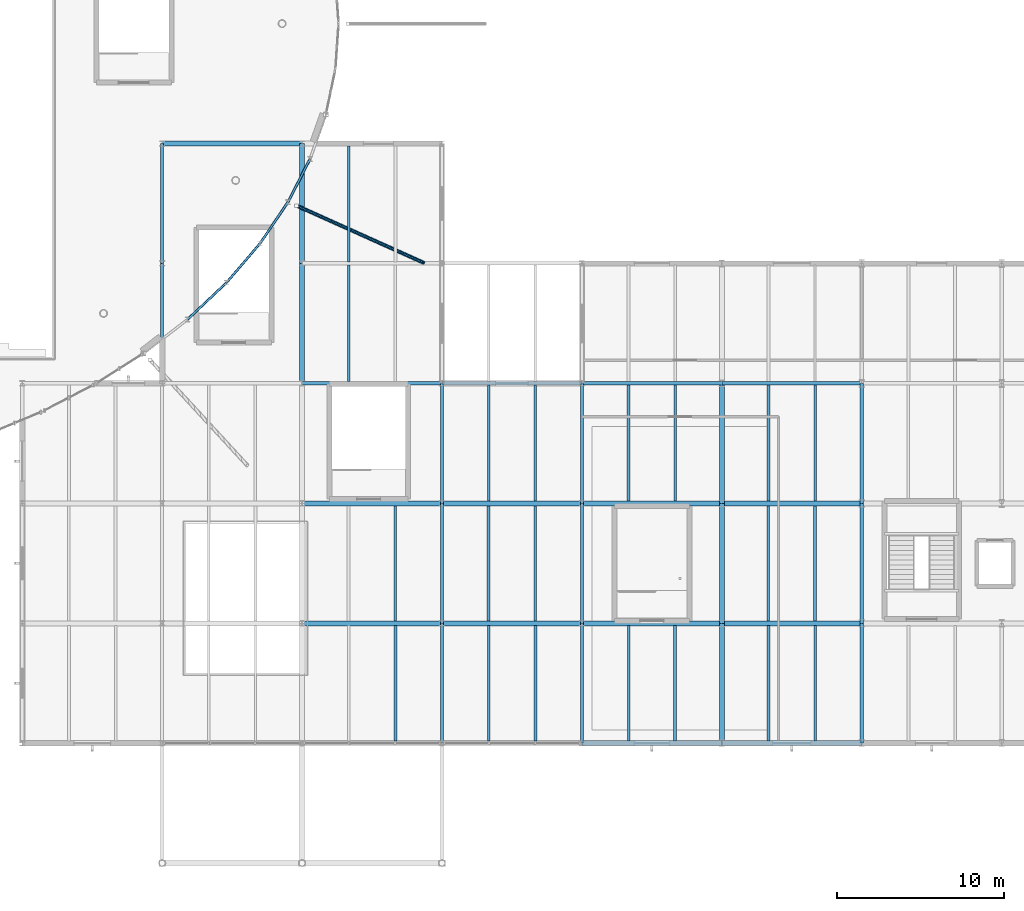
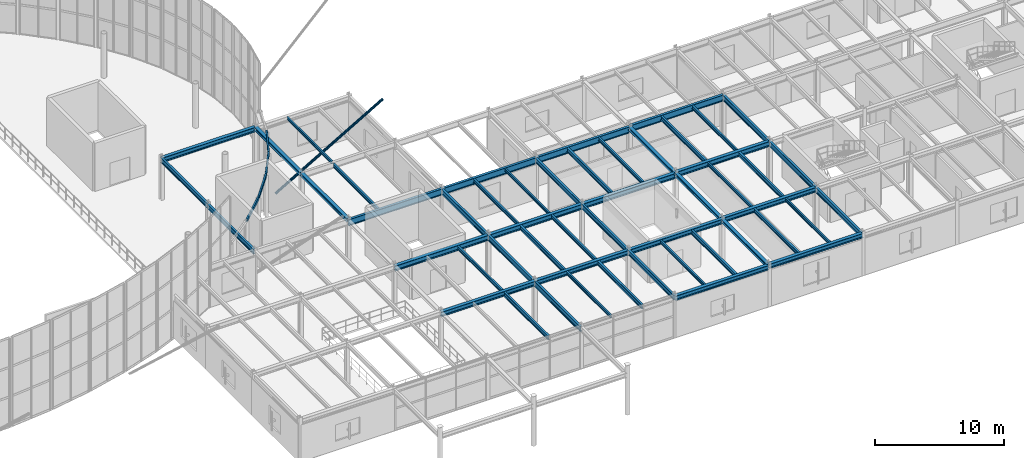
# One storey, part 31 of 109: 55 beams, 1 member.
"""IFC4 building model written with IfcOpenShell, lengths in metres."""

from ifc_helpers import new_model, si_unit, derived_unit, direction, frame, origin, origin_2d, place, context, subcontext, project, spatial, hollow_rectangle, hollow_circle, i_section, extrude, material, material_profile, profile_set, type_object, element, save


model = new_model("IFC4")

# Units and contexts
model_context = context("Model", 3, precision=1e-05, world=origin(), true_north=direction((0.0, 1.0)))
body_context = subcontext(model_context, "Body", "Model", "MODEL_VIEW")
ifc_project = project(units=[si_unit("LENGTHUNIT", "METRE"), si_unit("AREAUNIT", "SQUARE_METRE"), si_unit("VOLUMEUNIT", "CUBIC_METRE"), si_unit("PLANEANGLEUNIT", "RADIAN"), si_unit("MASSUNIT", "GRAM", prefix="KILO"), derived_unit("THERMALTRANSMITTANCEUNIT", [(si_unit("MASSUNIT", "GRAM", prefix="KILO"), 1), (si_unit("TIMEUNIT", "SECOND"), -3), (si_unit("THERMODYNAMICTEMPERATUREUNIT", "KELVIN"), -1)])], contexts=[model_context])

# Site, building, storey
site_placement = place(None, origin())
site = spatial("IfcSite", under=ifc_project, at=site_placement, CompositionType="ELEMENT")
building_placement = place(site_placement, origin())
building = spatial("IfcBuilding", under=site, at=building_placement, Name="Kharveza Railside Sports Centre", CompositionType="ELEMENT")
storey_placement = place(building_placement, frame((0.0, 0.0, 4.5)))
storey = spatial("IfcBuildingStorey", under=building, at=storey_placement, Name="L01", CompositionType="ELEMENT", Elevation=4.5)

# Beams
ifc_material = material(Name="Steel S355J2", Category="steel")
ifc_material_profile_1 = material_profile(ifc_material, i_section(OverallWidth=0.219970703125, OverallDepth=0.60009765625, WebThickness=0.011962890625, FlangeThickness=0.01904296875, FilletRadius=0.02392578125, at=origin_2d()), Name="IPE 600")
ifc_profile_set_1 = profile_set([ifc_material_profile_1], Name="Steel S355J2")
beam_type_1 = type_object("IfcBeamType", Name="BM-G01", PredefinedType="T_BEAM", material=ifc_profile_set_1)
beam_1_placement = place(storey_placement, frame((92.39990234375, 28.800048828125, 3.6201171875), z_axis=(1.0, 0.0, 0.0), x_axis=(0.0, 1.0, 0.0)))
element("IfcBeam", 1, at=beam_1_placement, inside=storey, type_object=beam_type_1, Name="BM-EW-L01-B01-X924-Y288", PredefinedType="T_BEAM", context=body_context, shape_type="SweptSolid", body=[
    extrude(i_section(OverallWidth=0.219970703125, OverallDepth=0.60009765625, WebThickness=0.011962890625, FlangeThickness=0.01904296875, FilletRadius=0.02392578125, at=origin_2d()), origin(), (0.0, 0.0, 1.0), 8.400146484375),
])
beam_2_placement = place(storey_placement, frame((100.800048828125, 28.800048828125, 3.6201171875), z_axis=(1.0, 0.0, 0.0), x_axis=(0.0, 1.0, 0.0)))
element("IfcBeam", 2, at=beam_2_placement, inside=storey, type_object=beam_type_1, Name="BM-EW-L01-B01-X1008-Y288", PredefinedType="T_BEAM", context=body_context, shape_type="SweptSolid", body=[
    extrude(i_section(OverallWidth=0.219970703125, OverallDepth=0.60009765625, WebThickness=0.011962890625, FlangeThickness=0.01904296875, FilletRadius=0.02392578125, at=origin_2d()), origin(), (0.0, 0.0, 1.0), 8.39990234375),
])
beam_3_placement = place(storey_placement, frame((109.199951171875, 28.800048828125, 3.6201171875), z_axis=(1.0, 0.0, 0.0), x_axis=(0.0, 1.0, 0.0)))
element("IfcBeam", 3, at=beam_3_placement, inside=storey, type_object=beam_type_1, Name="BM-EW-L01-B01-X1092-Y288", PredefinedType="T_BEAM", context=body_context, shape_type="SweptSolid", body=[
    extrude(i_section(OverallWidth=0.219970703125, OverallDepth=0.60009765625, WebThickness=0.011962890625, FlangeThickness=0.01904296875, FilletRadius=0.02392578125, at=origin_2d()), origin(), (0.0, 0.0, 1.0), 8.400146484375),
])
beam_4_placement = place(storey_placement, frame((117.60009765625, 28.800048828125, 3.699951171875), z_axis=(1.0, 0.0, 0.0), x_axis=(0.0, 1.0, 0.0)))
element("IfcBeam", 4, at=beam_4_placement, inside=storey, type_object=beam_type_1, Name="BM-EW-L01-B01-X1176-Y288", PredefinedType="T_BEAM", context=body_context, shape_type="SweptSolid", body=[
    extrude(i_section(OverallWidth=0.219970703125, OverallDepth=0.60009765625, WebThickness=0.011962890625, FlangeThickness=0.01904296875, FilletRadius=0.02392578125, at=origin_2d()), origin(), (0.0, 0.0, 1.0), 8.39990234375),
])
ifc_material_profile_2 = material_profile(ifc_material, i_section(OverallWidth=0.199951171875, OverallDepth=0.5, WebThickness=0.01025390625, FlangeThickness=0.01611328125, FilletRadius=0.02099609375, at=origin_2d()), Name="IPE 500")
ifc_profile_set_2 = profile_set([ifc_material_profile_2], Name="Steel S355J2")
beam_type_2 = type_object("IfcBeamType", Name="BM-G03", PredefinedType="T_BEAM", material=ifc_profile_set_2)
beam_5_placement = place(storey_placement, frame((100.800048828125, 7.199951171875, 3.669921875), z_axis=(0.0, 1.0, 0.0), x_axis=(-1.0, 0.0, 0.0)))
element("IfcBeam", 5, at=beam_5_placement, inside=storey, type_object=beam_type_2, Name="BM-NS-L01-B03-X1008-Y72", PredefinedType="T_BEAM", context=body_context, shape_type="SweptSolid", body=[
    extrude(i_section(OverallWidth=0.199951171875, OverallDepth=0.5, WebThickness=0.01025390625, FlangeThickness=0.01611328125, FilletRadius=0.02099609375, at=origin_2d()), origin(), (0.0, 0.0, 1.0), 7.199951171875),
])
beam_6_placement = place(storey_placement, frame((100.800048828125, 14.39990234375, 3.669921875), z_axis=(0.0, 1.0, 0.0), x_axis=(-1.0, 0.0, 0.0)))
element("IfcBeam", 6, at=beam_6_placement, inside=storey, type_object=beam_type_2, Name="BM-NS-L01-B03-X1008-Y144", PredefinedType="T_BEAM", context=body_context, shape_type="SweptSolid", body=[
    extrude(i_section(OverallWidth=0.199951171875, OverallDepth=0.5, WebThickness=0.01025390625, FlangeThickness=0.01611328125, FilletRadius=0.02099609375, at=origin_2d()), origin(), (0.0, 0.0, 1.0), 7.2001953125),
])
for number, where, z_axis, x_axis, name in (
    (7, (100.800048828125, 21.60009765625, 3.669921875), (0.0, 1.0, 0.0), (-1.0, 0.0, 0.0), "BM-NS-L01-B03-X1008-Y216"),
    (8, (126.0, 7.199951171875, 3.75), (0.0, 1.0, 0.0), (-1.0, 0.0, 0.0), "BM-NS-L01-B03-X1260-Y72"),
):
    element("IfcBeam", number, at=place(storey_placement, frame(where, z_axis=z_axis, x_axis=x_axis)), inside=storey, type_object=beam_type_2, Name=name, PredefinedType="T_BEAM", context=body_context, shape_type="SweptSolid", body=[
        extrude(i_section(OverallWidth=0.199951171875, OverallDepth=0.5, WebThickness=0.01025390625, FlangeThickness=0.01611328125, FilletRadius=0.02099609375, at=origin_2d()), origin(), (0.0, 0.0, 1.0), 7.199951171875),
    ])
beam_7_placement = place(storey_placement, frame((126.0, 14.39990234375, 3.75), z_axis=(0.0, 1.0, 0.0), x_axis=(-1.0, 0.0, 0.0)))
element("IfcBeam", 9, at=beam_7_placement, inside=storey, type_object=beam_type_2, Name="BM-NS-L01-B03-X1260-Y144", PredefinedType="T_BEAM", context=body_context, shape_type="SweptSolid", body=[
    extrude(i_section(OverallWidth=0.199951171875, OverallDepth=0.5, WebThickness=0.01025390625, FlangeThickness=0.01611328125, FilletRadius=0.02099609375, at=origin_2d()), origin(), (0.0, 0.0, 1.0), 7.2001953125),
])
beam_8_placement = place(storey_placement, frame((126.0, 21.60009765625, 3.75), z_axis=(0.0, 1.0, 0.0), x_axis=(-1.0, 0.0, 0.0)))
element("IfcBeam", 10, at=beam_8_placement, inside=storey, type_object=beam_type_2, Name="BM-NS-L01-B03-X1260-Y216", PredefinedType="T_BEAM", context=body_context, shape_type="SweptSolid", body=[
    extrude(i_section(OverallWidth=0.199951171875, OverallDepth=0.5, WebThickness=0.01025390625, FlangeThickness=0.01611328125, FilletRadius=0.02099609375, at=origin_2d()), origin(), (0.0, 0.0, 1.0), 7.199951171875),
])
ifc_material_profile_3 = material_profile(ifc_material, i_section(OverallWidth=0.18994140625, OverallDepth=0.449951171875, WebThickness=0.009521484375, FlangeThickness=0.0146484375, FilletRadius=0.02099609375, at=origin_2d()), Name="IPE 450")
ifc_profile_set_3 = profile_set([ifc_material_profile_3], Name="Steel S355J2")
beam_type_3 = type_object("IfcBeamType", Name="BM-G04", PredefinedType="T_BEAM", material=ifc_profile_set_3)
for number, where, z_axis, x_axis, name in (
    (11, (84.0, 28.800048828125, 3.77490234375), (0.0, 1.0, 0.0), (-1.0, 0.0, 0.0), "BM-NS-L01-B04-X840-Y288"),
    (12, (84.0, 36.0, 3.77490234375), (0.0, 1.0, 0.0), (-1.0, 0.0, 0.0), "BM-NS-L01-B04-X840-Y360"),
    (13, (109.199951171875, 7.199951171875, 3.695068359375), (0.0, 1.0, 0.0), (-1.0, 0.0, 0.0), "BM-NS-L01-B04-X1092-Y72"),
):
    element("IfcBeam", number, at=place(storey_placement, frame(where, z_axis=z_axis, x_axis=x_axis)), inside=storey, type_object=beam_type_3, Name=name, PredefinedType="T_BEAM", context=body_context, shape_type="SweptSolid", body=[
        extrude(i_section(OverallWidth=0.18994140625, OverallDepth=0.449951171875, WebThickness=0.009521484375, FlangeThickness=0.0146484375, FilletRadius=0.02099609375, at=origin_2d()), origin(), (0.0, 0.0, 1.0), 7.199951171875),
    ])
beam_9_placement = place(storey_placement, frame((109.199951171875, 14.39990234375, 3.695068359375), z_axis=(0.0, 1.0, 0.0), x_axis=(-1.0, 0.0, 0.0)))
element("IfcBeam", 14, at=beam_9_placement, inside=storey, type_object=beam_type_3, Name="BM-NS-L01-B04-X1092-Y144", PredefinedType="T_BEAM", context=body_context, shape_type="SweptSolid", body=[
    extrude(i_section(OverallWidth=0.18994140625, OverallDepth=0.449951171875, WebThickness=0.009521484375, FlangeThickness=0.0146484375, FilletRadius=0.02099609375, at=origin_2d()), origin(), (0.0, 0.0, 1.0), 7.2001953125),
])
beam_10_placement = place(storey_placement, frame((109.199951171875, 21.60009765625, 3.695068359375), z_axis=(0.0, 1.0, 0.0), x_axis=(-1.0, 0.0, 0.0)))
element("IfcBeam", 15, at=beam_10_placement, inside=storey, type_object=beam_type_3, Name="BM-NS-L01-B04-X1092-Y216", PredefinedType="T_BEAM", context=body_context, shape_type="SweptSolid", body=[
    extrude(i_section(OverallWidth=0.18994140625, OverallDepth=0.449951171875, WebThickness=0.009521484375, FlangeThickness=0.0146484375, FilletRadius=0.02099609375, at=origin_2d()), origin(), (0.0, 0.0, 1.0), 7.199951171875),
])
ifc_material_profile_4 = material_profile(ifc_material, i_section(OverallWidth=0.300048828125, OverallDepth=0.5, WebThickness=0.014404296875, FlangeThickness=0.028076171875, FilletRadius=0.027099609375, at=origin_2d()), Name="HEB 500")
ifc_profile_set_4 = profile_set([ifc_material_profile_4], Name="Steel S355J2")
beam_type_4 = type_object("IfcBeamType", Name="BM-G05", PredefinedType="T_BEAM", material=ifc_profile_set_4)
beam_11_placement = place(storey_placement, frame((92.39990234375, 21.60009765625, 3.669921875), z_axis=(1.0, 0.0, 0.0), x_axis=(0.0, 1.0, 0.0)))
element("IfcBeam", 16, at=beam_11_placement, inside=storey, type_object=beam_type_4, Name="BM-EW-L01-B05-X924-Y216", PredefinedType="T_BEAM", context=body_context, shape_type="SweptSolid", body=[
    extrude(i_section(OverallWidth=0.300048828125, OverallDepth=0.5, WebThickness=0.014404296875, FlangeThickness=0.028076171875, FilletRadius=0.027099609375, at=origin_2d()), origin(), (0.0, 0.0, 1.0), 8.400146484375),
])
beam_12_placement = place(storey_placement, frame((100.800048828125, 21.60009765625, 3.669921875), z_axis=(1.0, 0.0, 0.0), x_axis=(0.0, 1.0, 0.0)))
element("IfcBeam", 17, at=beam_12_placement, inside=storey, type_object=beam_type_4, Name="BM-EW-L01-B05-X1008-Y216", PredefinedType="T_BEAM", context=body_context, shape_type="SweptSolid", body=[
    extrude(i_section(OverallWidth=0.300048828125, OverallDepth=0.5, WebThickness=0.014404296875, FlangeThickness=0.028076171875, FilletRadius=0.027099609375, at=origin_2d()), origin(), (0.0, 0.0, 1.0), 8.39990234375),
])
beam_13_placement = place(storey_placement, frame((109.199951171875, 21.60009765625, 3.669921875), z_axis=(1.0, 0.0, 0.0), x_axis=(0.0, 1.0, 0.0)))
element("IfcBeam", 18, at=beam_13_placement, inside=storey, type_object=beam_type_4, Name="BM-EW-L01-B05-X1092-Y216", PredefinedType="T_BEAM", context=body_context, shape_type="SweptSolid", body=[
    extrude(i_section(OverallWidth=0.300048828125, OverallDepth=0.5, WebThickness=0.014404296875, FlangeThickness=0.028076171875, FilletRadius=0.027099609375, at=origin_2d()), origin(), (0.0, 0.0, 1.0), 8.400146484375),
])
beam_14_placement = place(storey_placement, frame((117.60009765625, 21.60009765625, 3.75), z_axis=(1.0, 0.0, 0.0), x_axis=(0.0, 1.0, 0.0)))
element("IfcBeam", 19, at=beam_14_placement, inside=storey, type_object=beam_type_4, Name="BM-EW-L01-B05-X1176-Y216", PredefinedType="T_BEAM", context=body_context, shape_type="SweptSolid", body=[
    extrude(i_section(OverallWidth=0.300048828125, OverallDepth=0.5, WebThickness=0.014404296875, FlangeThickness=0.028076171875, FilletRadius=0.027099609375, at=origin_2d()), origin(), (0.0, 0.0, 1.0), 8.39990234375),
])
ifc_material_profile_5 = material_profile(ifc_material, i_section(OverallWidth=0.300048828125, OverallDepth=0.449951171875, WebThickness=0.013916015625, FlangeThickness=0.02587890625, FilletRadius=0.027099609375, at=origin_2d()), Name="HEB 450")
ifc_profile_set_5 = profile_set([ifc_material_profile_5], Name="Steel S355J2")
beam_type_5 = type_object("IfcBeamType", Name="BM-G06", PredefinedType="T_BEAM", material=ifc_profile_set_5)
beam_15_placement = place(storey_placement, frame((84.0, 43.199951171875, 3.77490234375), z_axis=(1.0, 0.0, 0.0), x_axis=(0.0, 1.0, 0.0)))
element("IfcBeam", 20, at=beam_15_placement, inside=storey, type_object=beam_type_5, Name="BM-EW-L01-B06-X840-Y432", PredefinedType="T_BEAM", context=body_context, shape_type="SweptSolid", body=[
    extrude(i_section(OverallWidth=0.300048828125, OverallDepth=0.449951171875, WebThickness=0.013916015625, FlangeThickness=0.02587890625, FilletRadius=0.027099609375, at=origin_2d()), origin(), (0.0, 0.0, 1.0), 8.39990234375),
])
beam_16_placement = place(storey_placement, frame((92.39990234375, 14.39990234375, 3.695068359375), z_axis=(1.0, 0.0, 0.0), x_axis=(0.0, 1.0, 0.0)))
element("IfcBeam", 21, at=beam_16_placement, inside=storey, type_object=beam_type_5, Name="BM-EW-L01-B06-X924-Y144", PredefinedType="T_BEAM", context=body_context, shape_type="SweptSolid", body=[
    extrude(i_section(OverallWidth=0.300048828125, OverallDepth=0.449951171875, WebThickness=0.013916015625, FlangeThickness=0.02587890625, FilletRadius=0.027099609375, at=origin_2d()), origin(), (0.0, 0.0, 1.0), 8.400146484375),
])
beam_17_placement = place(storey_placement, frame((100.800048828125, 14.39990234375, 3.695068359375), z_axis=(1.0, 0.0, 0.0), x_axis=(0.0, 1.0, 0.0)))
element("IfcBeam", 22, at=beam_17_placement, inside=storey, type_object=beam_type_5, Name="BM-EW-L01-B06-X1008-Y144", PredefinedType="T_BEAM", context=body_context, shape_type="SweptSolid", body=[
    extrude(i_section(OverallWidth=0.300048828125, OverallDepth=0.449951171875, WebThickness=0.013916015625, FlangeThickness=0.02587890625, FilletRadius=0.027099609375, at=origin_2d()), origin(), (0.0, 0.0, 1.0), 8.39990234375),
])
beam_18_placement = place(storey_placement, frame((109.199951171875, 14.39990234375, 3.695068359375), z_axis=(1.0, 0.0, 0.0), x_axis=(0.0, 1.0, 0.0)))
element("IfcBeam", 23, at=beam_18_placement, inside=storey, type_object=beam_type_5, Name="BM-EW-L01-B06-X1092-Y144", PredefinedType="T_BEAM", context=body_context, shape_type="SweptSolid", body=[
    extrude(i_section(OverallWidth=0.300048828125, OverallDepth=0.449951171875, WebThickness=0.013916015625, FlangeThickness=0.02587890625, FilletRadius=0.027099609375, at=origin_2d()), origin(), (0.0, 0.0, 1.0), 8.400146484375),
])
beam_19_placement = place(storey_placement, frame((117.60009765625, 14.39990234375, 3.77490234375), z_axis=(1.0, 0.0, 0.0), x_axis=(0.0, 1.0, 0.0)))
element("IfcBeam", 24, at=beam_19_placement, inside=storey, type_object=beam_type_5, Name="BM-EW-L01-B06-X1176-Y144", PredefinedType="T_BEAM", context=body_context, shape_type="SweptSolid", body=[
    extrude(i_section(OverallWidth=0.300048828125, OverallDepth=0.449951171875, WebThickness=0.013916015625, FlangeThickness=0.02587890625, FilletRadius=0.027099609375, at=origin_2d()), origin(), (0.0, 0.0, 1.0), 8.39990234375),
])
ifc_material_profile_6 = material_profile(ifc_material, i_section(OverallWidth=0.179931640625, OverallDepth=0.39990234375, WebThickness=0.008544921875, FlangeThickness=0.013427734375, FilletRadius=0.02099609375, at=origin_2d()), Name="IPE 400")
ifc_profile_set_6 = profile_set([ifc_material_profile_6], Name="Steel S355J2")
beam_type_6 = type_object("IfcBeamType", Name="BM-S01", PredefinedType="BEAM", material=ifc_profile_set_6)
for number, where, z_axis, x_axis, name in (
    (25, (98.0, 7.346923828125, 3.719970703125), (0.0, 1.0, 0.0), (-1.0, 0.0, 0.0), "BM-SEC-L01-B09-X980-Y72"),
    (26, (106.39990234375, 7.346923828125, 3.719970703125), (0.0, 1.0, 0.0), (-1.0, 0.0, 0.0), "BM-SEC-L01-B09-X1064-Y72"),
):
    element("IfcBeam", number, at=place(storey_placement, frame(where, z_axis=z_axis, x_axis=x_axis)), inside=storey, type_object=beam_type_6, Name=name, PredefinedType="BEAM", context=body_context, shape_type="SweptSolid", body=[
        extrude(i_section(OverallWidth=0.179931640625, OverallDepth=0.39990234375, WebThickness=0.008544921875, FlangeThickness=0.013427734375, FilletRadius=0.02099609375, at=origin_2d()), origin(), (0.0, 0.0, 1.0), 6.906005859375),
    ])
beam_20_placement = place(storey_placement, frame((103.60009765625, 14.547119140625, 3.719970703125), z_axis=(0.0, 1.0, 0.0), x_axis=(-1.0, 0.0, 0.0)))
element("IfcBeam", 27, at=beam_20_placement, inside=storey, type_object=beam_type_6, Name="BM-SEC-L01-B09-X1036-Y144", PredefinedType="BEAM", context=body_context, shape_type="SweptSolid", body=[
    extrude(i_section(OverallWidth=0.179931640625, OverallDepth=0.39990234375, WebThickness=0.008544921875, FlangeThickness=0.013427734375, FilletRadius=0.02099609375, at=origin_2d()), origin(), (0.0, 0.0, 1.0), 6.90576171875),
])
beam_21_placement = place(storey_placement, frame((114.800048828125, 7.346923828125, 3.719970703125), z_axis=(0.0, 1.0, 0.0), x_axis=(-1.0, 0.0, 0.0)))
element("IfcBeam", 28, at=beam_21_placement, inside=storey, type_object=beam_type_6, Name="BM-SEC-L01-B09-X1148-Y72", PredefinedType="BEAM", context=body_context, shape_type="SweptSolid", body=[
    extrude(i_section(OverallWidth=0.179931640625, OverallDepth=0.39990234375, WebThickness=0.008544921875, FlangeThickness=0.013427734375, FilletRadius=0.02099609375, at=origin_2d()), origin(), (0.0, 0.0, 1.0), 6.906005859375),
])
beam_22_placement = place(storey_placement, frame((112.0, 21.7470703125, 3.719970703125), z_axis=(0.0, 1.0, 0.0), x_axis=(-1.0, 0.0, 0.0)))
element("IfcBeam", 29, at=beam_22_placement, inside=storey, type_object=beam_type_6, Name="BM-SEC-L01-B09-X1120-Y216", PredefinedType="BEAM", context=body_context, shape_type="SweptSolid", body=[
    extrude(i_section(OverallWidth=0.179931640625, OverallDepth=0.39990234375, WebThickness=0.008544921875, FlangeThickness=0.013427734375, FilletRadius=0.02099609375, at=origin_2d()), origin(), (0.0, 0.0, 1.0), 6.946044921875),
])
beam_23_placement = place(storey_placement, frame((123.199951171875, 14.547119140625, 3.800048828125), z_axis=(0.0, 1.0, 0.0), x_axis=(-1.0, 0.0, 0.0)))
element("IfcBeam", 30, at=beam_23_placement, inside=storey, type_object=beam_type_6, Name="BM-SEC-L01-B09-X1232-Y144", PredefinedType="BEAM", context=body_context, shape_type="SweptSolid", body=[
    extrude(i_section(OverallWidth=0.179931640625, OverallDepth=0.39990234375, WebThickness=0.008544921875, FlangeThickness=0.013427734375, FilletRadius=0.02099609375, at=origin_2d()), origin(), (0.0, 0.0, 1.0), 6.90576171875),
])
beam_24_placement = place(storey_placement, frame((120.39990234375, 21.7470703125, 3.800048828125), z_axis=(0.0, 1.0, 0.0), x_axis=(-1.0, 0.0, 0.0)))
element("IfcBeam", 31, at=beam_24_placement, inside=storey, type_object=beam_type_6, Name="BM-SEC-L01-B09-X1204-Y216", PredefinedType="BEAM", context=body_context, shape_type="SweptSolid", body=[
    extrude(i_section(OverallWidth=0.179931640625, OverallDepth=0.39990234375, WebThickness=0.008544921875, FlangeThickness=0.013427734375, FilletRadius=0.02099609375, at=origin_2d()), origin(), (0.0, 0.0, 1.0), 6.946044921875),
])
ifc_material_profile_7 = material_profile(ifc_material, i_section(OverallWidth=0.169921875, OverallDepth=0.360107421875, WebThickness=0.008056640625, FlangeThickness=0.0126953125, FilletRadius=0.01806640625, at=origin_2d()), Name="IPE 360")
ifc_profile_set_7 = profile_set([ifc_material_profile_7], Name="Steel S355J2")
beam_type_7 = type_object("IfcBeamType", Name="BM-S02", PredefinedType="BEAM", material=ifc_profile_set_7)
beam_25_placement = place(storey_placement, frame((120.39990234375, 7.346923828125, 3.820068359375), z_axis=(0.0, 1.0, 0.0), x_axis=(-1.0, 0.0, 0.0)))
element("IfcBeam", 32, at=beam_25_placement, inside=storey, type_object=beam_type_7, Name="BM-SEC-L01-B10-X1204-Y72", PredefinedType="BEAM", context=body_context, shape_type="SweptSolid", body=[
    extrude(i_section(OverallWidth=0.169921875, OverallDepth=0.360107421875, WebThickness=0.008056640625, FlangeThickness=0.0126953125, FilletRadius=0.01806640625, at=origin_2d()), origin(), (0.0, 0.0, 1.0), 6.906005859375),
])
ifc_material_profile_8 = material_profile(ifc_material, i_section(OverallWidth=0.159912109375, OverallDepth=0.330078125, WebThickness=0.007568359375, FlangeThickness=0.011474609375, FilletRadius=0.01806640625, at=origin_2d()), Name="IPE 330")
ifc_profile_set_8 = profile_set([ifc_material_profile_8], Name="Steel S355J2")
beam_type_8 = type_object("IfcBeamType", Name="BM-S03", PredefinedType="BEAM", material=ifc_profile_set_8)
beam_26_placement = place(storey_placement, frame((98.0, 14.547119140625, 3.7548828125), z_axis=(0.0, 1.0, 0.0), x_axis=(-1.0, 0.0, 0.0)))
element("IfcBeam", 33, at=beam_26_placement, inside=storey, type_object=beam_type_8, Name="BM-SEC-L01-B11-X980-Y144", PredefinedType="BEAM", context=body_context, shape_type="SweptSolid", body=[
    extrude(i_section(OverallWidth=0.159912109375, OverallDepth=0.330078125, WebThickness=0.007568359375, FlangeThickness=0.011474609375, FilletRadius=0.01806640625, at=origin_2d()), origin(), (0.0, 0.0, 1.0), 6.90576171875),
])
beam_27_placement = place(storey_placement, frame((95.199951171875, 28.906982421875, 3.7548828125), z_axis=(0.0, 1.0, 0.0), x_axis=(-1.0, 0.0, 0.0)))
element("IfcBeam", 34, at=beam_27_placement, inside=storey, type_object=beam_type_8, Name="BM-SEC-L01-B11-X952-Y288", PredefinedType="BEAM", context=body_context, shape_type="SweptSolid", body=[
    extrude(i_section(OverallWidth=0.159912109375, OverallDepth=0.330078125, WebThickness=0.007568359375, FlangeThickness=0.011474609375, FilletRadius=0.01806640625, at=origin_2d()), origin(), (0.0, 0.0, 1.0), 6.990966796875),
])
beam_28_placement = place(storey_placement, frame((106.39990234375, 14.547119140625, 3.7548828125), z_axis=(0.0, 1.0, 0.0), x_axis=(-1.0, 0.0, 0.0)))
element("IfcBeam", 35, at=beam_28_placement, inside=storey, type_object=beam_type_8, Name="BM-SEC-L01-B11-X1064-Y144", PredefinedType="BEAM", context=body_context, shape_type="SweptSolid", body=[
    extrude(i_section(OverallWidth=0.159912109375, OverallDepth=0.330078125, WebThickness=0.007568359375, FlangeThickness=0.011474609375, FilletRadius=0.01806640625, at=origin_2d()), origin(), (0.0, 0.0, 1.0), 6.90576171875),
])
for number, where, z_axis, x_axis, name in (
    (36, (103.60009765625, 21.7470703125, 3.7548828125), (0.0, 1.0, 0.0), (-1.0, 0.0, 0.0), "BM-SEC-L01-B11-X1036-Y216"),
    (37, (114.800048828125, 21.7470703125, 3.7548828125), (0.0, 1.0, 0.0), (-1.0, 0.0, 0.0), "BM-SEC-L01-B11-X1148-Y216"),
    (38, (123.199951171875, 21.7470703125, 3.8349609375), (0.0, 1.0, 0.0), (-1.0, 0.0, 0.0), "BM-SEC-L01-B11-X1232-Y216"),
):
    element("IfcBeam", number, at=place(storey_placement, frame(where, z_axis=z_axis, x_axis=x_axis)), inside=storey, type_object=beam_type_8, Name=name, PredefinedType="BEAM", context=body_context, shape_type="SweptSolid", body=[
        extrude(i_section(OverallWidth=0.159912109375, OverallDepth=0.330078125, WebThickness=0.007568359375, FlangeThickness=0.011474609375, FilletRadius=0.01806640625, at=origin_2d()), origin(), (0.0, 0.0, 1.0), 6.946044921875),
    ])
ifc_material_profile_9 = material_profile(ifc_material, i_section(OverallWidth=0.14990234375, OverallDepth=0.300048828125, WebThickness=0.007080078125, FlangeThickness=0.0107421875, FilletRadius=0.014892578125, at=origin_2d()), Name="IPE 300")
ifc_profile_set_9 = profile_set([ifc_material_profile_9], Name="Steel S355J2")
beam_type_9 = type_object("IfcBeamType", Name="BM-S04", PredefinedType="BEAM", material=ifc_profile_set_9)
for number, where, z_axis, x_axis, name in (
    (39, (103.60009765625, 7.346923828125, 3.77001953125), (0.0, 1.0, 0.0), (-1.0, 0.0, 0.0), "BM-SEC-L01-B12-X1036-Y72"),
    (40, (112.0, 7.346923828125, 3.77001953125), (0.0, 1.0, 0.0), (-1.0, 0.0, 0.0), "BM-SEC-L01-B12-X1120-Y72"),
    (41, (123.199951171875, 7.346923828125, 3.85009765625), (0.0, 1.0, 0.0), (-1.0, 0.0, 0.0), "BM-SEC-L01-B12-X1232-Y72"),
):
    element("IfcBeam", number, at=place(storey_placement, frame(where, z_axis=z_axis, x_axis=x_axis)), inside=storey, type_object=beam_type_9, Name=name, PredefinedType="BEAM", context=body_context, shape_type="SweptSolid", body=[
        extrude(i_section(OverallWidth=0.14990234375, OverallDepth=0.300048828125, WebThickness=0.007080078125, FlangeThickness=0.0107421875, FilletRadius=0.014892578125, at=origin_2d()), origin(), (0.0, 0.0, 1.0), 6.906005859375),
    ])
beam_29_placement = place(storey_placement, frame((120.39990234375, 14.547119140625, 3.85009765625), z_axis=(0.0, 1.0, 0.0), x_axis=(-1.0, 0.0, 0.0)))
element("IfcBeam", 42, at=beam_29_placement, inside=storey, type_object=beam_type_9, Name="BM-SEC-L01-B12-X1204-Y144", PredefinedType="BEAM", context=body_context, shape_type="SweptSolid", body=[
    extrude(i_section(OverallWidth=0.14990234375, OverallDepth=0.300048828125, WebThickness=0.007080078125, FlangeThickness=0.0107421875, FilletRadius=0.014892578125, at=origin_2d()), origin(), (0.0, 0.0, 1.0), 6.90576171875),
])
ifc_material_profile_10 = material_profile(ifc_material, i_section(OverallWidth=0.135009765625, OverallDepth=0.27001953125, WebThickness=0.006591796875, FlangeThickness=0.01025390625, FilletRadius=0.014892578125, at=origin_2d()), Name="IPE 270")
ifc_profile_set_10 = profile_set([ifc_material_profile_10], Name="Steel S355J2")
beam_type_10 = type_object("IfcBeamType", Name="BM-S05", PredefinedType="BEAM", material=ifc_profile_set_10)
beam_30_placement = place(storey_placement, frame((95.199951171875, 36.10205078125, 3.864990234375), z_axis=(0.0, 1.0, 0.0), x_axis=(-1.0, 0.0, 0.0)))
element("IfcBeam", 43, at=beam_30_placement, inside=storey, type_object=beam_type_10, Name="BM-SEC-L01-B13-X952-Y360", PredefinedType="BEAM", context=body_context, shape_type="SweptSolid", body=[
    extrude(i_section(OverallWidth=0.135009765625, OverallDepth=0.27001953125, WebThickness=0.006591796875, FlangeThickness=0.01025390625, FilletRadius=0.014892578125, at=origin_2d()), origin(), (0.0, 0.0, 1.0), 6.950927734375),
])
beam_31_placement = place(storey_placement, frame((106.39990234375, 21.7470703125, 3.784912109375), z_axis=(0.0, 1.0, 0.0), x_axis=(-1.0, 0.0, 0.0)))
element("IfcBeam", 44, at=beam_31_placement, inside=storey, type_object=beam_type_10, Name="BM-SEC-L01-B13-X1064-Y216", PredefinedType="BEAM", context=body_context, shape_type="SweptSolid", body=[
    extrude(i_section(OverallWidth=0.135009765625, OverallDepth=0.27001953125, WebThickness=0.006591796875, FlangeThickness=0.01025390625, FilletRadius=0.014892578125, at=origin_2d()), origin(), (0.0, 0.0, 1.0), 6.946044921875),
])
ifc_material_profile_11 = material_profile(ifc_material, i_section(OverallWidth=0.300048828125, OverallDepth=0.31005859375, WebThickness=0.009033203125, FlangeThickness=0.015380859375, FilletRadius=0.027099609375, at=origin_2d()), Name="HEA 320")
ifc_profile_set_11 = profile_set([ifc_material_profile_11], Name="Steel S355J2")
beam_type_11 = type_object("IfcBeamType", Name="BM-S06", PredefinedType="BEAM", material=ifc_profile_set_11)
for number, where, z_axis, x_axis, name in (
    (45, (92.39990234375, 28.800048828125, 3.844970703125), (0.0, 1.0, 0.0), (-1.0, 0.0, 0.0), "BM-NS-L01-B14-X924-Y288"),
    (46, (92.39990234375, 36.0, 3.844970703125), (0.0, 1.0, 0.0), (-1.0, 0.0, 0.0), "BM-NS-L01-B14-X924-Y360"),
    (47, (117.60009765625, 7.199951171875, 3.764892578125), (0.0, 1.0, 0.0), (-1.0, 0.0, 0.0), "BM-NS-L01-B14-X1176-Y72"),
):
    element("IfcBeam", number, at=place(storey_placement, frame(where, z_axis=z_axis, x_axis=x_axis)), inside=storey, type_object=beam_type_11, Name=name, PredefinedType="BEAM", context=body_context, shape_type="SweptSolid", body=[
        extrude(i_section(OverallWidth=0.300048828125, OverallDepth=0.31005859375, WebThickness=0.009033203125, FlangeThickness=0.015380859375, FilletRadius=0.027099609375, at=origin_2d()), origin(), (0.0, 0.0, 1.0), 7.199951171875),
    ])
beam_32_placement = place(storey_placement, frame((117.60009765625, 14.39990234375, 3.764892578125), z_axis=(0.0, 1.0, 0.0), x_axis=(-1.0, 0.0, 0.0)))
element("IfcBeam", 48, at=beam_32_placement, inside=storey, type_object=beam_type_11, Name="BM-NS-L01-B14-X1176-Y144", PredefinedType="BEAM", context=body_context, shape_type="SweptSolid", body=[
    extrude(i_section(OverallWidth=0.300048828125, OverallDepth=0.31005859375, WebThickness=0.009033203125, FlangeThickness=0.015380859375, FilletRadius=0.027099609375, at=origin_2d()), origin(), (0.0, 0.0, 1.0), 7.2001953125),
])
beam_33_placement = place(storey_placement, frame((117.60009765625, 21.60009765625, 3.764892578125), z_axis=(0.0, 1.0, 0.0), x_axis=(-1.0, 0.0, 0.0)))
element("IfcBeam", 49, at=beam_33_placement, inside=storey, type_object=beam_type_11, Name="BM-NS-L01-B14-X1176-Y216", PredefinedType="BEAM", context=body_context, shape_type="SweptSolid", body=[
    extrude(i_section(OverallWidth=0.300048828125, OverallDepth=0.31005859375, WebThickness=0.009033203125, FlangeThickness=0.015380859375, FilletRadius=0.027099609375, at=origin_2d()), origin(), (0.0, 0.0, 1.0), 7.199951171875),
])
ifc_material_profile_12 = material_profile(ifc_material, i_section(OverallWidth=0.300048828125, OverallDepth=0.43994140625, WebThickness=0.011474609375, FlangeThickness=0.02099609375, FilletRadius=0.027099609375, at=origin_2d()), Name="HEA 450")
ifc_profile_set_12 = profile_set([ifc_material_profile_12], Name="Steel S355J2")
beam_type_12 = type_object("IfcBeamType", Name="BM-SP01", PredefinedType="SPANDREL", material=ifc_profile_set_12)
beam_34_placement = place(storey_placement, frame((109.199951171875, 7.199951171875, 3.699951171875), z_axis=(1.0, 0.0, 0.0), x_axis=(0.0, 1.0, 0.0)))
element("IfcBeam", 50, at=beam_34_placement, inside=storey, type_object=beam_type_12, Name="BM-EW-L01-B15-X1092-Y72", PredefinedType="SPANDREL", context=body_context, shape_type="SweptSolid", body=[
    extrude(i_section(OverallWidth=0.300048828125, OverallDepth=0.43994140625, WebThickness=0.011474609375, FlangeThickness=0.02099609375, FilletRadius=0.027099609375, at=origin_2d()), origin(), (0.0, 0.0, 1.0), 8.400146484375),
])
beam_35_placement = place(storey_placement, frame((117.60009765625, 7.199951171875, 3.780029296875), z_axis=(1.0, 0.0, 0.0), x_axis=(0.0, 1.0, 0.0)))
element("IfcBeam", 51, at=beam_35_placement, inside=storey, type_object=beam_type_12, Name="BM-EW-L01-B15-X1176-Y72", PredefinedType="SPANDREL", context=body_context, shape_type="SweptSolid", body=[
    extrude(i_section(OverallWidth=0.300048828125, OverallDepth=0.43994140625, WebThickness=0.011474609375, FlangeThickness=0.02099609375, FilletRadius=0.027099609375, at=origin_2d()), origin(), (0.0, 0.0, 1.0), 8.39990234375),
])
ifc_material_profile_13 = material_profile(ifc_material, hollow_rectangle(XDim=0.14990234375, YDim=0.300048828125, WallThickness=0.012451171875, InnerFilletRadius=0.012451171875, OuterFilletRadius=0.02490234375, at=origin_2d()), Name="RHS 150x300x12.5")
ifc_profile_set_13 = profile_set([ifc_material_profile_13], Name="Steel S355J2")
beam_type_13 = type_object("IfcBeamType", Name="BM-SP03", PredefinedType="SPANDREL", material=ifc_profile_set_13)
beam_36_placement = place(storey_placement, frame((85.5205078125, 32.636962890625, 3.8798828125), z_axis=(0.727236314573, 0.686387166814, 0.0), x_axis=(-0.686387166814, 0.727236314573, 0.0)))
element("IfcBeam", 52, at=beam_36_placement, inside=storey, type_object=beam_type_13, Name="BM-DCLER-SILL-58", PredefinedType="SPANDREL", context=body_context, shape_type="SweptSolid", body=[
    extrude(hollow_rectangle(XDim=0.14990234375, YDim=0.300048828125, WallThickness=0.012451171875, InnerFilletRadius=0.012451171875, OuterFilletRadius=0.02490234375, at=origin_2d()), origin(), (0.0, 0.0, 1.0), 3.21533203125),
])
beam_37_placement = place(storey_placement, frame((87.85888671875, 34.843994140625, 3.8798828125), z_axis=(0.650389538769, 0.759600847722, 0.0), x_axis=(-0.759600847722, 0.650389538769, 0.0)))
element("IfcBeam", 53, at=beam_37_placement, inside=storey, type_object=beam_type_13, Name="BM-DCLER-SILL-59", PredefinedType="SPANDREL", context=body_context, shape_type="SweptSolid", body=[
    extrude(hollow_rectangle(XDim=0.14990234375, YDim=0.300048828125, WallThickness=0.012451171875, InnerFilletRadius=0.012451171875, OuterFilletRadius=0.02490234375, at=origin_2d()), origin(), (0.0, 0.0, 1.0), 3.102783203125),
])
beam_38_placement = place(storey_placement, frame((89.876953125, 37.200927734375, 3.8798828125), z_axis=(0.559839276391, 0.828601221705, 0.0), x_axis=(-0.828601221705, 0.559839276391, 0.0)))
element("IfcBeam", 54, at=beam_38_placement, inside=storey, type_object=beam_type_13, Name="BM-DCLER-SILL-60", PredefinedType="SPANDREL", context=body_context, shape_type="SweptSolid", body=[
    extrude(hollow_rectangle(XDim=0.14990234375, YDim=0.300048828125, WallThickness=0.012451171875, InnerFilletRadius=0.012451171875, OuterFilletRadius=0.02490234375, at=origin_2d()), origin(), (0.0, 0.0, 1.0), 2.997802734375),
])
beam_39_placement = place(storey_placement, frame((91.55517578125, 39.684814453125, 3.8798828125), z_axis=(0.455161394879, 0.890408953578, 0.0), x_axis=(-0.890408953578, 0.455161394879, 0.0)))
element("IfcBeam", 55, at=beam_39_placement, inside=storey, type_object=beam_type_13, Name="BM-DCLER-SILL-61", PredefinedType="SPANDREL", context=body_context, shape_type="SweptSolid", body=[
    extrude(hollow_rectangle(XDim=0.14990234375, YDim=0.300048828125, WallThickness=0.012451171875, InnerFilletRadius=0.012451171875, OuterFilletRadius=0.02490234375, at=origin_2d()), origin(), (0.0, 0.0, 1.0), 2.905517578125),
])

# Member
ifc_material_profile_14 = material_profile(ifc_material, hollow_circle(Radius=0.109619140625, WallThickness=0.012451171875, at=origin_2d()), Name="CHS 219.1x12.5")
ifc_profile_set_14 = profile_set([ifc_material_profile_14], Name="Steel S355J2")
member_type = type_object("IfcMemberType", Name="MB-ST01", PredefinedType="STRUT", material=ifc_profile_set_14)
member_placement = place(storey_placement, frame((92.063232421875, 39.474365234375, 0.0), z_axis=(0.645217892711, -0.289934715466, 0.706846328203), x_axis=(0.409878689268, 0.912140044118, 0.0)))
element("IfcMember", 56, at=member_placement, inside=storey, type_object=member_type, Name="MB-RAKER-LID-16", PredefinedType="STRUT", context=body_context, shape_type="SweptSolid", body=[
    extrude(hollow_circle(Radius=0.109619140625, WallThickness=0.012451171875, at=origin_2d()), origin(), (0.0, 0.0, 1.0), 11.813232421875),
])

save(model, "model.ifc")
